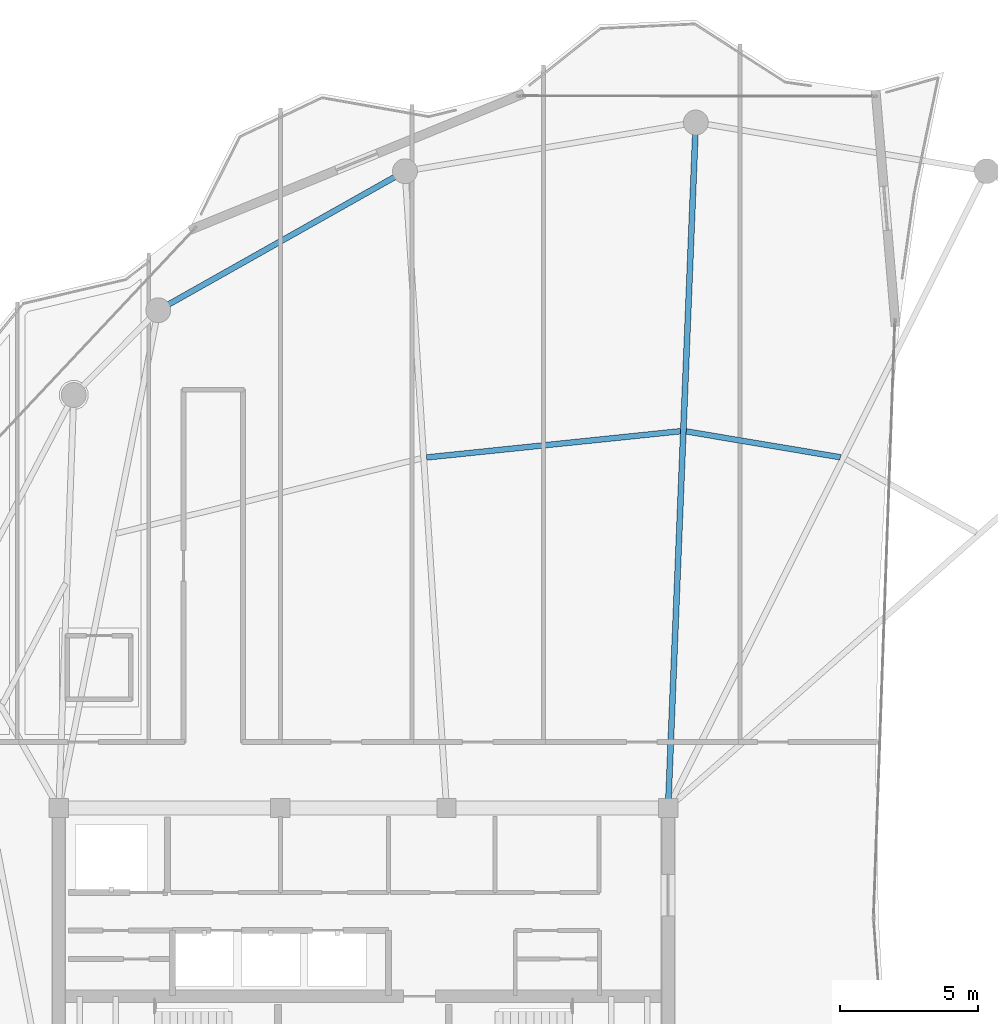
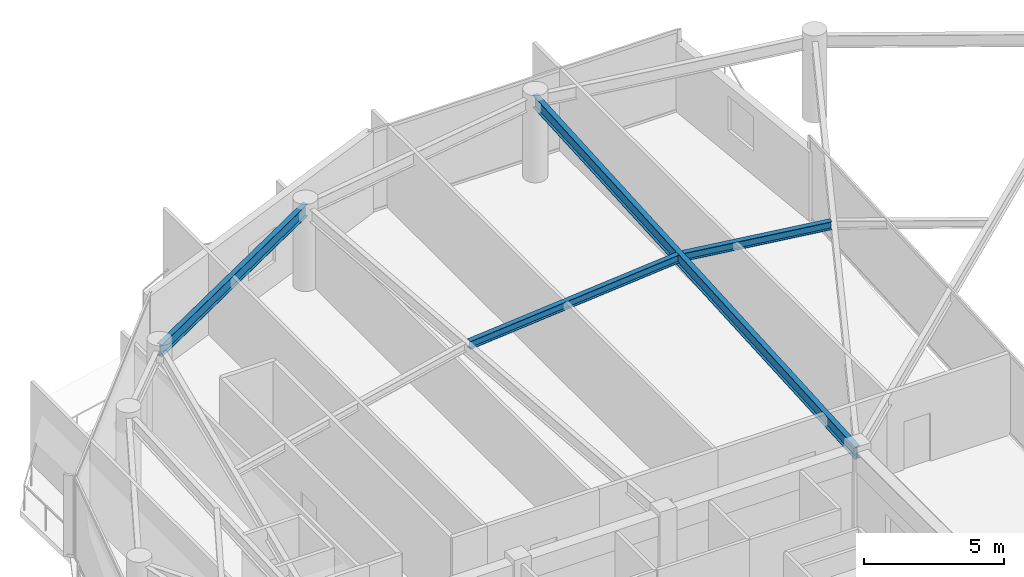
# One storey, part 15 of 23: 4 beams.
"""IFC4 building model written with IfcOpenShell, lengths in metres."""

from ifc_helpers import new_model, si_unit, direction, frame, origin, origin_2d, place, context, subcontext, project, spatial, i_section, extrude, material, material_profile, profile_set, type_object, element, save


model = new_model("IFC4")

# Units and contexts
model_context = context("Model", 3, precision=1e-05, world=origin(), true_north=direction((0.0, 1.0)))
body_context = subcontext(model_context, "Body", "Model", "MODEL_VIEW")
ifc_project = project(units=[si_unit("LENGTHUNIT", "METRE"), si_unit("AREAUNIT", "SQUARE_METRE"), si_unit("VOLUMEUNIT", "CUBIC_METRE"), si_unit("PLANEANGLEUNIT", "RADIAN"), si_unit("MASSUNIT", "GRAM", prefix="KILO")], contexts=[model_context])

# Site, building, storey
site_placement = place(None, origin())
site = spatial("IfcSite", under=ifc_project, at=site_placement, CompositionType="ELEMENT")
building_placement = place(site_placement, origin())
building = spatial("IfcBuilding", under=site, at=building_placement, Name="Kazevale Care Tower and Concert Hall", CompositionType="ELEMENT")
storey_placement = place(building_placement, frame((0.0, 0.0, 266.199951171875)))
storey = spatial("IfcBuildingStorey", under=building, at=storey_placement, Name="L70", CompositionType="ELEMENT", Elevation=266.199951171875)

# Beams
ifc_material = material(Name="Steel ASTM A572 Gr 50", Category="steel")
ifc_material_profile_1 = material_profile(ifc_material, i_section(OverallWidth=0.2119140625, OverallDepth=0.5439453125, WebThickness=0.01318359375, FlangeThickness=0.021240234375, at=origin_2d()), Name="W530x123")
ifc_profile_set_1 = profile_set([ifc_material_profile_1], Name="Steel ASTM A572 Gr 50")
beam_type_1 = type_object("IfcBeamType", Name="Radial Floor Girder W530x123", PredefinedType="BEAM", material=ifc_profile_set_1)
beam_1_placement = place(storey_placement, frame((44.0, 36.39990234375, 3.2880859375), z_axis=(0.040371101203, 0.999184754781, 0.0), x_axis=(-0.999184754781, 0.040371101203, 0.0)))
element("IfcBeam", 1, at=beam_1_placement, inside=storey, type_object=beam_type_1, Name="beam:L70:rad:05", PredefinedType="BEAM", context=body_context, shape_type="SweptSolid", body=[
    extrude(i_section(OverallWidth=0.2119140625, OverallDepth=0.5439453125, WebThickness=0.01318359375, FlangeThickness=0.021240234375, at=origin_2d()), origin(), (0.0, 0.0, 1.0), 24.770263671875),
])
ifc_material_profile_2 = material_profile(ifc_material, i_section(OverallWidth=0.205078125, OverallDepth=0.35400390625, WebThickness=0.009521484375, FlangeThickness=0.016845703125, at=origin_2d()), Name="W360x79")
ifc_profile_set_2 = profile_set([ifc_material_profile_2], Name="Steel ASTM A572 Gr 50")
beam_type_2 = type_object("IfcBeamType", Name="Secondary Floor Joist W360x79", PredefinedType="JOIST", material=ifc_profile_set_2)
beam_2_placement = place(storey_placement, frame((50.220947265625, 49.06201171875, 3.383056640625), z_axis=(-0.986241534462, 0.165310724705, 0.0), x_axis=(-0.165310724705, -0.986241534462, 0.0)))
element("IfcBeam", 2, at=beam_2_placement, inside=storey, type_object=beam_type_2, Name="beam:L70:joist:04", PredefinedType="JOIST", context=body_context, shape_type="SweptSolid", body=[
    extrude(i_section(OverallWidth=0.205078125, OverallDepth=0.35400390625, WebThickness=0.009521484375, FlangeThickness=0.016845703125, at=origin_2d()), origin(), (0.0, 0.0, 1.0), 5.64453125),
])
beam_3_placement = place(storey_placement, frame((44.446044921875, 50.001953125, 3.383056640625), z_axis=(-0.994706089671, -0.10276086401, 0.0), x_axis=(0.10276086401, -0.994706089671, 0.0)))
element("IfcBeam", 3, at=beam_3_placement, inside=storey, type_object=beam_type_2, Name="beam:L70:joist:05", PredefinedType="JOIST", context=body_context, shape_type="SweptSolid", body=[
    extrude(i_section(OverallWidth=0.205078125, OverallDepth=0.35400390625, WebThickness=0.009521484375, FlangeThickness=0.016845703125, at=origin_2d()), origin(), (0.0, 0.0, 1.0), 9.2158203125),
])
ifc_material_profile_3 = material_profile(ifc_material, i_section(OverallWidth=0.208984375, OverallDepth=0.532958984375, WebThickness=0.01025390625, FlangeThickness=0.015625, at=origin_2d()), Name="W530x92")
ifc_profile_set_3 = profile_set([ifc_material_profile_3], Name="Steel ASTM A572 Gr 50")
beam_type_3 = type_object("IfcBeamType", Name="Upper Ring Beam W530x92", PredefinedType="BEAM", material=ifc_profile_set_3)
beam_4_placement = place(storey_placement, frame((34.5, 59.389892578125, 3.29345703125), z_axis=(-0.871243170179, -0.490851646035, 0.0), x_axis=(0.490851646035, -0.871243170179, 0.0)))
element("IfcBeam", 4, at=beam_4_placement, inside=storey, type_object=beam_type_3, Name="beam:L70:ring:06", PredefinedType="BEAM", context=body_context, shape_type="SweptSolid", body=[
    extrude(i_section(OverallWidth=0.208984375, OverallDepth=0.532958984375, WebThickness=0.01025390625, FlangeThickness=0.015625, at=origin_2d()), origin(), (0.0, 0.0, 1.0), 10.2265625),
])

save(model, "model.ifc")
